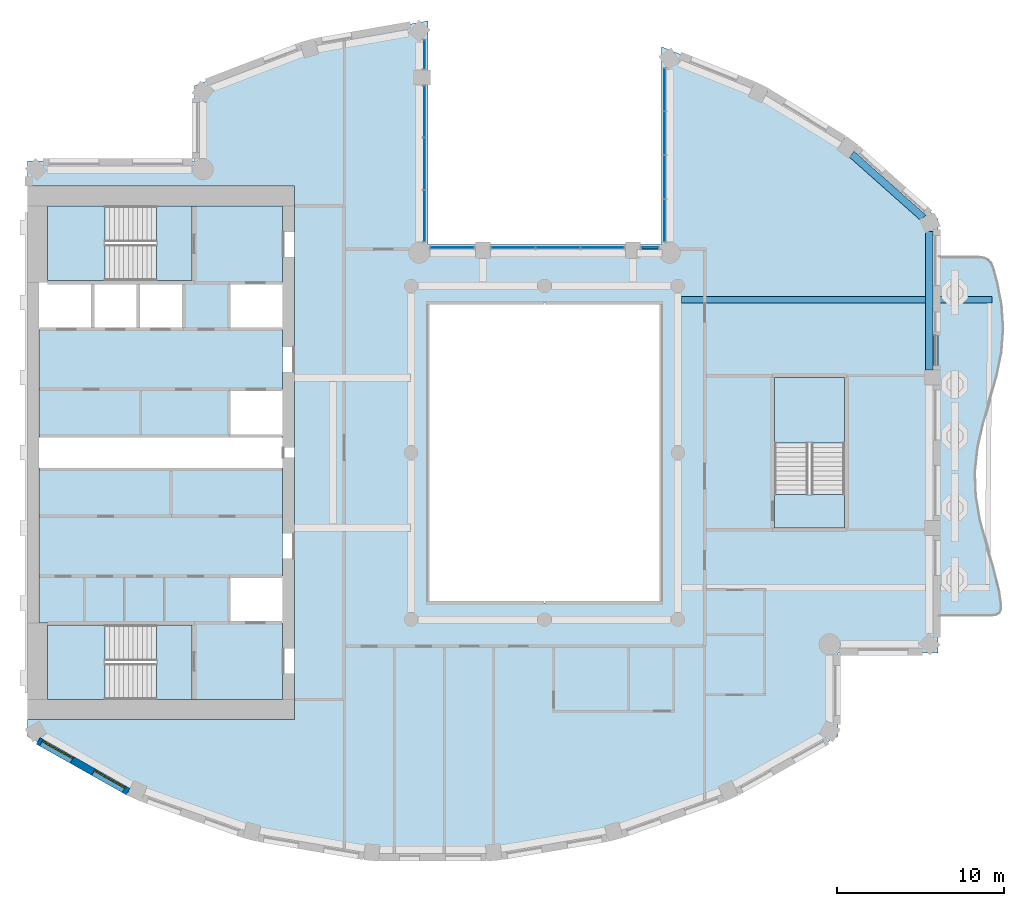
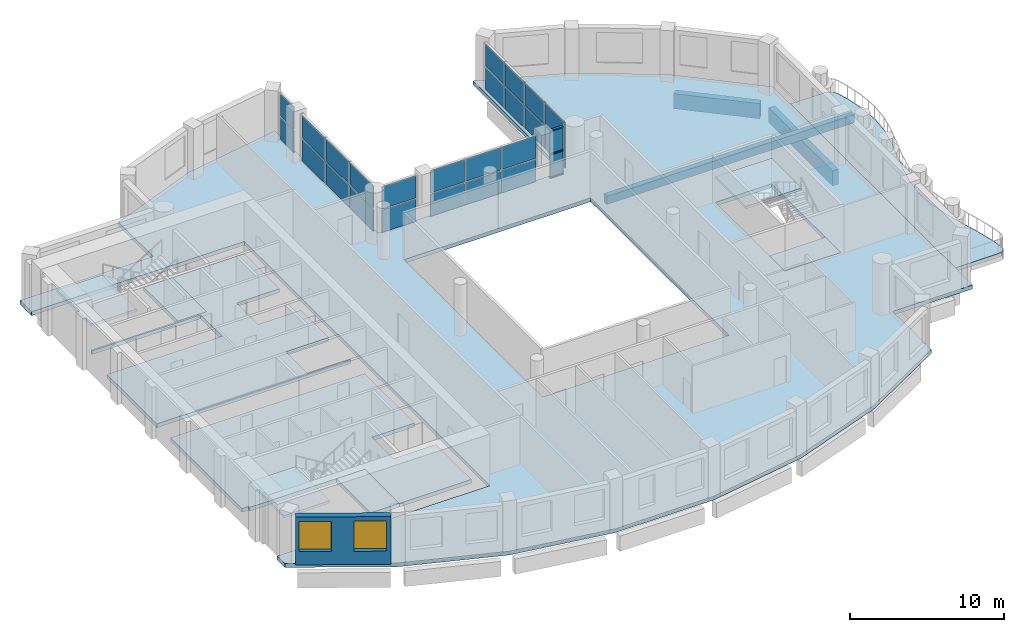
# One storey, part 3 of 14: 26 plates, 10 slabs, 3 beams, 3 members, 2 windows, 1 wall, 2 openings, 9 elements without a shape of their own.
"""IFC4 building model written with IfcOpenShell, lengths in metres."""

import ifcopenshell
import ifcopenshell.guid

model = None  # the IFC model being written
_history = None  # IfcOwnerHistory: only IFC2X3 demands one
_inside = {}  # id of a spatial element -> (the spatial element, [elements in it])
_under = {}  # id of a project, library or spatial element -> (it, [spatial elements below it])
_declared = {}  # id of a project -> (the project, [libraries it declares])
_typed = {}  # id of a type object -> (the type object, [elements of that type])
_made_of = {}  # id of a material, layer set ... -> (it, [elements and type objects made of it])


def new_model(schema):
    """Start an empty IFC model of exactly this schema.

    Asked for "IFC4X3", IfcOpenShell would pick the latest addendum, in which some entities
    have other attributes; the version numbers below select the first issue.
    IFC2X3 requires an IfcOwnerHistory on every rooted entity: one is made here for all.
    """
    global model, _history
    if schema == "IFC4X3":
        model = ifcopenshell.file(schema_version=(4, 3, 0, 0))
    else:
        model = ifcopenshell.file(schema=schema)
    _inside.clear()
    _under.clear()
    _declared.clear()
    _typed.clear()
    _made_of.clear()
    _history = None
    if model.schema == "IFC2X3":
        org = make("IfcOrganization", Name="unknown")
        user = make(
            "IfcPersonAndOrganization",
            ThePerson=make("IfcPerson", FamilyName="unknown"),
            TheOrganization=org,
        )
        app = make(
            "IfcApplication",
            ApplicationDeveloper=org,
            Version="unknown",
            ApplicationFullName="unknown",
            ApplicationIdentifier="unknown",
        )
        _history = make(
            "IfcOwnerHistory",
            OwningUser=user,
            OwningApplication=app,
            ChangeAction="ADDED",
            CreationDate=0,
        )
    return model


def make(cls, **values):
    """One entity of the class cls with the attributes given. An attribute that is None is left unset."""
    return model.create_entity(
        cls, **{name: value for name, value in values.items() if value is not None}
    )


def rooted(cls, **values):
    """An entity with a GlobalId (a new one), such as an element, a storey or a relation."""
    return make(cls, GlobalId=ifcopenshell.guid.new(), OwnerHistory=_history, **values)


def si_unit(unit_type, name, prefix=None):
    """IfcSIUnit, for example si_unit("LENGTHUNIT", "METRE", prefix="MILLI")."""
    return make("IfcSIUnit", UnitType=unit_type, Prefix=prefix, Name=name)


def assignment(units):
    """IfcUnitAssignment: the units of a project."""
    return None if units is None else make("IfcUnitAssignment", Units=units)


def point(xyz):
    """IfcCartesianPoint."""
    return None if xyz is None else make("IfcCartesianPoint", Coordinates=xyz)


def direction(xyz):
    """IfcDirection."""
    return None if xyz is None else make("IfcDirection", DirectionRatios=xyz)


def frame(location, z_axis=None, x_axis=None):
    """IfcAxis2Placement3D, a coordinate frame: its origin and axes. An axis left out is left unset."""
    return make(
        "IfcAxis2Placement3D",
        Location=point(location),
        Axis=direction(z_axis),
        RefDirection=direction(x_axis),
    )


def frame_2d(location, x_axis=None):
    """IfcAxis2Placement2D, a coordinate frame in the plane: its origin and x axis."""
    return make(
        "IfcAxis2Placement2D", Location=point(location), RefDirection=direction(x_axis)
    )


def origin():
    """The frame at (0, 0, 0) with its axes left unset."""
    return frame((0.0, 0.0, 0.0))


def origin_2d():
    """The frame at (0, 0) in the plane with its x axis left unset."""
    return frame_2d((0.0, 0.0))


def place(relative_to, where):
    """IfcLocalPlacement: puts the frame where relative to a parent placement (None: the world)."""
    return make(
        "IfcLocalPlacement", PlacementRelTo=relative_to, RelativePlacement=where
    )


def context(
    kind, dimensions, precision=None, world=None, true_north=None, identifier=None
):
    """IfcGeometricRepresentationContext, for example the 3D "Model" context."""
    return make(
        "IfcGeometricRepresentationContext",
        ContextIdentifier=identifier,
        ContextType=kind,
        CoordinateSpaceDimension=dimensions,
        Precision=precision,
        WorldCoordinateSystem=world,
        TrueNorth=true_north,
    )


def subcontext(parent, identifier, kind, view, scale=None):
    """IfcGeometricRepresentationSubContext, for example "Body" below "Model"."""
    return make(
        "IfcGeometricRepresentationSubContext",
        ContextIdentifier=identifier,
        ContextType=kind,
        ParentContext=parent,
        TargetScale=scale,
        TargetView=view,
    )


def project(units=None, contexts=None):
    """IfcProject with its units and contexts."""
    return rooted(
        "IfcProject",
        Name="project",
        RepresentationContexts=contexts,
        UnitsInContext=assignment(units),
    )


def spatial(cls, under=None, at=None, **own):
    """A site, building, storey or space (cls), placed at a placement, below another one or the project."""
    s = rooted(cls, ObjectPlacement=at, **own)
    if under is not None:
        _under.setdefault(under.id(), (under, []))[1].append(s)
    return s


def polyline(points):
    """IfcPolyline through the points."""
    return make("IfcPolyline", Points=[point(p) for p in points])


def profile(cls, at=None, kind="AREA", **sizes):
    """A parametric profile (cls). Its sizes go by their IFC names, for example OverallWidth=200.0."""
    return make(cls, ProfileType=kind, Position=at, **sizes)


def rectangle(**sizes):
    """IfcRectangleProfileDef."""
    return profile("IfcRectangleProfileDef", **sizes)


def outline(outer, holes=None, kind="AREA"):
    """IfcArbitraryClosedProfileDef: a profile drawn as a closed curve; with holes, ...WithVoids."""
    if holes is None:
        return make("IfcArbitraryClosedProfileDef", ProfileType=kind, OuterCurve=outer)
    return make(
        "IfcArbitraryProfileDefWithVoids",
        ProfileType=kind,
        OuterCurve=outer,
        InnerCurves=holes,
    )


def extrude(swept, where, along, depth):
    """IfcExtrudedAreaSolid: the profile swept, set in the frame where, extruded along a direction by depth."""
    return make(
        "IfcExtrudedAreaSolid",
        SweptArea=swept,
        Position=where,
        ExtrudedDirection=direction(along),
        Depth=depth,
    )


def shape(context_of_items, identifier, shape_type, items):
    """IfcShapeRepresentation: the items that make up one representation, for example the "Body"."""
    return make(
        "IfcShapeRepresentation",
        ContextOfItems=context_of_items,
        RepresentationIdentifier=identifier,
        RepresentationType=shape_type,
        Items=items,
    )


def material(Name=None, Category=None):
    """IfcMaterial."""
    return make("IfcMaterial", Name=Name, Category=Category)


def layer(
    of_material, thickness, ventilated=None, Name=None, Category=None, Priority=None
):
    """IfcMaterialLayer: one layer of a wall or slab, of a material (None: an air gap)."""
    return make(
        "IfcMaterialLayer",
        Material=of_material,
        LayerThickness=thickness,
        IsVentilated=ventilated,
        Name=Name,
        Category=Category,
        Priority=Priority,
    )


def layer_set(layers, Name=None):
    """IfcMaterialLayerSet."""
    return make("IfcMaterialLayerSet", MaterialLayers=layers, LayerSetName=Name)


def material_profile(
    of_material, cross_section, Name=None, Category=None, Priority=None
):
    """IfcMaterialProfile: a cross section and its material."""
    return make(
        "IfcMaterialProfile",
        Name=Name,
        Material=of_material,
        Profile=cross_section,
        Priority=Priority,
        Category=Category,
    )


def profile_set(profiles, Name=None, composite=None):
    """IfcMaterialProfileSet."""
    return make(
        "IfcMaterialProfileSet",
        Name=Name,
        MaterialProfiles=profiles,
        CompositeProfile=composite,
    )


def made_of(thing, what):
    """Note that an element or type object is made of a material, layer set ...; save() writes the relation."""
    if what is not None:
        _made_of.setdefault(what.id(), (what, []))[1].append(thing)
    return thing


def type_object(cls, material=None, **own):
    """A type object (cls), such as IfcWallType, which elements share."""
    return made_of(rooted(cls, **own), material)


def element(
    cls,
    number,
    at=None,
    inside=None,
    cuts=None,
    type_object=None,
    material=None,
    context=None,
    identifier="Body",
    shape_type=None,
    held_by="IfcProductDefinitionShape",
    body=None,
    shapes=None,
    **own,
):
    """One element of the class cls, such as IfcWall. Its Tag is "e" and its number.

    at: its placement. inside: the storey or other place that contains it. cuts: it is an
    opening in that element (IfcRelVoidsElement). A single representation is given by context,
    identifier, shape_type and body (its items); several are given by shapes. held_by: the class
    of the entity that holds the representations. save() writes the other relations.
    """
    e = rooted(cls, Tag="e%d" % number, ObjectPlacement=at, **own)
    if body is not None:
        shapes = [shape(context, identifier, shape_type, body)]
    if shapes is not None:
        e.Representation = make(held_by, Representations=shapes)
    if inside is not None:
        _inside.setdefault(inside.id(), (inside, []))[1].append(e)
    if cuts is not None:
        rooted(
            "IfcRelVoidsElement", RelatingBuildingElement=cuts, RelatedOpeningElement=e
        )
    if type_object is not None:
        _typed.setdefault(type_object.id(), (type_object, []))[1].append(e)
    return made_of(e, material)


def fill(opening, filler):
    """IfcRelFillsElement: the door or window that sits in an opening."""
    return rooted(
        "IfcRelFillsElement",
        RelatingOpeningElement=opening,
        RelatedBuildingElement=filler,
    )


def aggregate(whole, parts):
    """IfcRelAggregates: a whole, such as a stair, and the parts it consists of."""
    return rooted("IfcRelAggregates", RelatingObject=whole, RelatedObjects=parts)


def save(model, path):
    """Write the relations noted so far, then the file.

    IfcRelAggregates (storeys below a building ...), IfcRelContainedInSpatialStructure (elements
    in a storey), IfcRelDefinesByType, IfcRelAssociatesMaterial and IfcRelDeclares: one each for
    every whole, place, type object, material and project.
    """
    for whole, parts in _under.values():
        aggregate(whole, parts)
    for where, things in _inside.values():
        rooted(
            "IfcRelContainedInSpatialStructure",
            RelatedElements=things,
            RelatingStructure=where,
        )
    for kind, things in _typed.values():
        rooted("IfcRelDefinesByType", RelatedObjects=things, RelatingType=kind)
    for what, things in _made_of.values():
        rooted("IfcRelAssociatesMaterial", RelatedObjects=things, RelatingMaterial=what)
    for by, libraries in _declared.values():
        rooted("IfcRelDeclares", RelatingContext=by, RelatedDefinitions=libraries)
    model.write(path)


model = new_model("IFC4")

# Units and contexts
model_context = context("Model", 3, precision=1e-05, world=origin(), true_north=direction((0.0, 1.0)))
body_context = subcontext(model_context, "Body", "Model", "MODEL_VIEW")
ifc_project = project(units=[si_unit("LENGTHUNIT", "METRE"), si_unit("AREAUNIT", "SQUARE_METRE"), si_unit("VOLUMEUNIT", "CUBIC_METRE"), si_unit("PLANEANGLEUNIT", "RADIAN"), si_unit("MASSUNIT", "GRAM", prefix="KILO")], contexts=[model_context])

# Site, building, storey
site_placement = place(None, origin())
site = spatial("IfcSite", under=ifc_project, at=site_placement, CompositionType="ELEMENT")
building_placement = place(site_placement, origin())
building = spatial("IfcBuilding", under=site, at=building_placement, Name="Cypress Arch Tower", CompositionType="ELEMENT")
storey_placement = place(building_placement, frame((0.0, 0.0, 247.5)))
storey = spatial("IfcBuildingStorey", under=building, at=storey_placement, Name="L55", CompositionType="ELEMENT", Elevation=247.5)

# Beams
ifc_material_1 = material(Name="Concrete C50/60", Category="concrete")
ifc_material_profile_1 = material_profile(ifc_material_1, rectangle(XDim=0.39990234375, YDim=0.64990234375, at=origin_2d()), Name="RC 400x650")
ifc_profile_set_1 = profile_set([ifc_material_profile_1], Name="Concrete C50/60")
beam_type_1 = type_object("IfcBeamType", Name="Cantilever beam RC 400x650 Concrete C50/60", PredefinedType="BEAM", material=ifc_profile_set_1)
beam_1_placement = place(storey_placement, frame((9.22509765625, 9.1826171875, -0.625), z_axis=(1.0, 0.0, 0.0), x_axis=(0.0, 1.0, 0.0)))
element("IfcBeam", 1, at=beam_1_placement, inside=storey, type_object=beam_type_1, Name="Cantilever beam L55 C17 2", PredefinedType="BEAM", context=body_context, shape_type="SweptSolid", body=[
    extrude(rectangle(XDim=0.39990234375, YDim=0.64990234375, at=origin_2d()), origin(), (0.0, 0.0, 1.0), 18.618896484375),
])
ifc_material_2 = material(Name="Concrete C50/60", Category="concrete")
ifc_material_profile_2 = material_profile(ifc_material_2, rectangle(XDim=0.449951171875, YDim=1.199951171875, at=origin_2d()), Name="RC 450x1200")
ifc_profile_set_2 = profile_set([ifc_material_profile_2], Name="Concrete C50/60")
beam_type_2 = type_object("IfcBeamType", Name="Spandrel beam RC 450x1200 Concrete C50/60", PredefinedType="SPANDREL", material=ifc_profile_set_2)
beam_2_placement = place(storey_placement, frame((24.074951171875, 4.949951171875, -1.550048828125), z_axis=(0.0, 1.0, 0.0), x_axis=(-1.0, 0.0, 0.0)))
element("IfcBeam", 2, at=beam_2_placement, inside=storey, type_object=beam_type_2, Name="Spandrel beam L55 BC17-2", PredefinedType="SPANDREL", context=body_context, shape_type="SweptSolid", body=[
    extrude(rectangle(XDim=0.449951171875, YDim=1.199951171875, at=origin_2d()), origin(), (0.0, 0.0, 1.0), 8.32080078125),
])
beam_3_placement = place(storey_placement, frame((23.706298828125, 14.091796875, -1.550048828125), z_axis=(-0.747555073917, 0.664199827959, 0.0), x_axis=(-0.664199827959, -0.747555073917, 0.0)))
element("IfcBeam", 3, at=beam_3_placement, inside=storey, type_object=beam_type_2, Name="Spandrel beam L55 BC18-0", PredefinedType="SPANDREL", context=body_context, shape_type="SweptSolid", body=[
    extrude(rectangle(XDim=0.449951171875, YDim=1.199951171875, at=origin_2d()), origin(), (0.0, 0.0, 1.0), 5.72900390625),
])

# Curtain wall, members
ifc_material_3 = material(Name="Anodised aluminium, bronze finish, clear laminated double glazing", Category="aluminium")
curtain_wall_type = type_object("IfcCurtainWallType", Name="Curtain wall CW7 slot glazing", PredefinedType="NOTDEFINED", material=ifc_material_3)
curtain_wall_1_placement = place(storey_placement, origin())
curtain_wall_1 = element("IfcCurtainWall", 4, at=curtain_wall_1_placement, inside=storey, type_object=curtain_wall_type, Name="Curtain wall L55 slot C01.0", PredefinedType="NOTDEFINED")
ifc_material_4 = material(Name="Anodised aluminium, bronze finish", Category="aluminium")
ifc_material_profile_3 = material_profile(ifc_material_4, rectangle(XDim=0.179931640625, YDim=0.0849609375, at=origin_2d()), Name="Transom 85x180")
ifc_profile_set_3 = profile_set([ifc_material_profile_3], Name="Anodised aluminium, bronze finish")
member_type = type_object("IfcMemberType", Name="Transom CW7 85x180", PredefinedType="USERDEFINED", material=ifc_profile_set_3)
member_1_placement = place(storey_placement, frame((7.8134765625, 12.300048828125, 0.04248046875), z_axis=(-1.0, 0.0, 0.0), x_axis=(0.0, -1.0, 0.0)))
member_1 = element("IfcMember", 5, at=member_1_placement, type_object=member_type, Name="CW7 transom 1.1", ObjectType="TRANSOM", PredefinedType="USERDEFINED", context=body_context, shape_type="SweptSolid", body=[
    extrude(rectangle(XDim=0.179931640625, YDim=0.0849609375, at=origin_2d()), origin(), (0.0, 0.0, 1.0), 0.978515625),
])
member_2_placement = place(storey_placement, frame((7.8134765625, 12.300048828125, 1.89990234375), z_axis=(-1.0, 0.0, 0.0), x_axis=(0.0, -1.0, 0.0)))
member_2 = element("IfcMember", 6, at=member_2_placement, type_object=member_type, Name="CW7 transom 1.2", ObjectType="TRANSOM", PredefinedType="USERDEFINED", context=body_context, shape_type="SweptSolid", body=[
    extrude(rectangle(XDim=0.179931640625, YDim=0.0849609375, at=origin_2d()), origin(), (0.0, 0.0, 1.0), 0.978515625),
])
member_3_placement = place(storey_placement, frame((7.8134765625, 12.300048828125, 3.757568359375), z_axis=(-1.0, 0.0, 0.0), x_axis=(0.0, -1.0, 0.0)))
member_3 = element("IfcMember", 7, at=member_3_placement, type_object=member_type, Name="CW7 transom 1.3", ObjectType="TRANSOM", PredefinedType="USERDEFINED", context=body_context, shape_type="SweptSolid", body=[
    extrude(rectangle(XDim=0.179931640625, YDim=0.0849609375, at=origin_2d()), origin(), (0.0, 0.0, 1.0), 0.978515625),
])

# Slabs
ifc_material_5 = material(Name="Concrete C40/50", Category="concrete")
ifc_layer_1 = layer(ifc_material_5, 0.300048828125)
ifc_layer_set_1 = layer_set([ifc_layer_1], Name="Balcony slab BS300")
slab_type_1 = type_object("IfcSlabType", Name="Balcony slab BS300", PredefinedType="USERDEFINED", material=ifc_layer_set_1)
slab_1_placement = place(storey_placement, frame((0.0, 0.0, -0.300048828125)))
element("IfcSlab", 8, at=slab_1_placement, inside=storey, type_object=slab_type_1, Name="Balcony slab L55-C17", ObjectType="BALCONY SLAB", PredefinedType="USERDEFINED", context=body_context, shape_type="SweptSolid", body=[
    extrude(outline(polyline([(24.60009765625, -9.75), (27.8193359375, -9.75), (28.0986328125, -9.709716796875), (28.284912109375, -9.5888671875), (28.378173828125, -9.38720703125), (28.378173828125, -9.10498046875), (28.264892578125, -8.316650390625), (27.907958984375, -6.88330078125), (27.48779296875, -5.449951171875), (27.107421875, -4.0166015625), (26.860107421875, -2.583251953125), (26.806396484375, -1.14990234375), (26.95947265625, 0.283447265625), (27.28173828125, 1.716552734375), (27.694580078125, 3.14990234375), (28.09619140625, 4.583251953125), (28.388671875, 6.0166015625), (28.499755859375, 7.449951171875), (28.40283203125, 8.88330078125), (28.12109375, 10.316650390625), (27.90283203125, 11.10498046875), (27.78271484375, 11.38720703125), (27.601318359375, 11.5888671875), (27.35888671875, 11.709716796875), (27.0546875, 11.75), (24.60009765625, 11.75), (24.60009765625, -9.75)])), origin(), (0.0, 0.0, 1.0), 0.300048828125),
])
ifc_material_6 = material(Name="Concrete C40/50", Category="concrete")
ifc_layer_2 = layer(ifc_material_6, 0.300048828125)
ifc_layer_set_2 = layer_set([ifc_layer_2], Name="Core floor CF300")
slab_type_2 = type_object("IfcSlabType", Name="Core floor CF300", PredefinedType="FLOOR", material=ifc_layer_set_2)
slab_2_placement = place(storey_placement, frame((0.0, 0.0, -0.300048828125)))
element("IfcSlab", 9, at=slab_2_placement, inside=storey, type_object=slab_type_2, Name="Core floor", PredefinedType="FLOOR", context=body_context, shape_type="SweptSolid", body=[
    extrude(outline(polyline([(-28.89990234375, -10.199951171875), (-29.300048828125, -10.199951171875), (-29.300048828125, -0.89990234375), (-28.89990234375, -0.89990234375), (-15.10009765625, -0.89990234375), (-14.699951171875, -0.89990234375), (-14.699951171875, -7.39990234375), (-15.10009765625, -7.39990234375), (-17.919921875, -7.39990234375), (-17.919921875, -10.199951171875), (-15.10009765625, -10.199951171875), (-14.699951171875, -10.199951171875), (-14.699951171875, -14.800048828125), (-15.10009765625, -14.800048828125), (-20.125, -14.800048828125), (-20.125, -10.324951171875), (-22.27490234375, -10.324951171875), (-28.800048828125, -10.324951171875), (-28.800048828125, -10.199951171875), (-28.89990234375, -10.199951171875)])), origin(), (0.0, 0.0, 1.0), 0.300048828125),
])
slab_3_placement = place(storey_placement, frame((0.0, 0.0, -0.300048828125)))
element("IfcSlab", 10, at=slab_3_placement, inside=storey, type_object=slab_type_2, Name="Core floor", PredefinedType="FLOOR", context=body_context, shape_type="SweptSolid", body=[
    extrude(outline(polyline([(-22.27490234375, -10.324951171875), (-22.27490234375, -14.800048828125), (-20.125, -14.800048828125), (-20.125, -10.324951171875), (-22.27490234375, -10.324951171875)])), origin(), (0.0, 0.0, 1.0), 0.300048828125),
])
slab_4_placement = place(storey_placement, frame((0.0, 0.0, -0.300048828125)))
element("IfcSlab", 11, at=slab_4_placement, inside=storey, type_object=slab_type_2, Name="Core floor", PredefinedType="FLOOR", context=body_context, shape_type="SweptSolid", body=[
    extrude(outline(polyline([(-20.125, 14.800048828125), (-22.27490234375, 14.800048828125), (-22.27490234375, 10.324951171875), (-20.125, 10.324951171875), (-20.125, 14.800048828125)])), origin(), (0.0, 0.0, 1.0), 0.300048828125),
])
slab_5_placement = place(storey_placement, frame((0.0, 0.0, -0.300048828125)))
element("IfcSlab", 12, at=slab_5_placement, inside=storey, type_object=slab_type_2, Name="Stair floor landing", PredefinedType="FLOOR", context=body_context, shape_type="SweptSolid", body=[
    extrude(outline(polyline([(19.0, -4.5), (19.0, -2.5), (14.800048828125, -2.5), (14.800048828125, -4.5), (19.0, -4.5)])), origin(), (0.0, 0.0, 1.0), 0.300048828125),
])
slab_6_placement = place(storey_placement, frame((0.0, 0.0, -0.300048828125)))
element("IfcSlab", 13, at=slab_6_placement, inside=storey, type_object=slab_type_2, Name="Core floor", PredefinedType="FLOOR", context=body_context, shape_type="SweptSolid", body=[
    extrude(outline(polyline([(-20.639892578125, 10.199951171875), (-23.360107421875, 10.199951171875), (-26.080078125, 10.199951171875), (-28.800048828125, 10.199951171875), (-28.800048828125, 10.324951171875), (-22.27490234375, 10.324951171875), (-20.125, 10.324951171875), (-20.125, 14.800048828125), (-15.10009765625, 14.800048828125), (-14.699951171875, 14.800048828125), (-14.699951171875, 10.199951171875), (-15.10009765625, 10.199951171875), (-17.919921875, 10.199951171875), (-17.919921875, 7.39990234375), (-15.10009765625, 7.39990234375), (-14.699951171875, 7.39990234375), (-14.699951171875, 3.800048828125), (-15.10009765625, 3.800048828125), (-17.919921875, 3.800048828125), (-17.919921875, 1.5), (-17.919921875, 1.0), (-17.5, 1.0), (-15.10009765625, 1.0), (-14.699951171875, 1.0), (-14.699951171875, 0.89990234375), (-15.10009765625, 0.89990234375), (-17.5, 0.89990234375), (-18.300048828125, 0.89990234375), (-28.89990234375, 0.89990234375), (-29.300048828125, 0.89990234375), (-29.300048828125, 1.5), (-29.300048828125, 7.39990234375), (-28.89990234375, 7.39990234375), (-26.080078125, 7.39990234375), (-23.360107421875, 7.39990234375), (-20.639892578125, 7.39990234375), (-20.639892578125, 10.199951171875)])), origin(), (0.0, 0.0, 1.0), 0.300048828125),
])

# Curtain wall, plates
curtain_wall_2_placement = place(storey_placement, origin())
curtain_wall_2 = element("IfcCurtainWall", 14, at=curtain_wall_2_placement, inside=storey, type_object=curtain_wall_type, Name="Curtain wall L55 slot C00.0", PredefinedType="NOTDEFINED")
ifc_material_7 = material(Name="Clear laminated double glazing", Category="glass")
ifc_layer_3 = layer(ifc_material_7, 0.0439453125)
ifc_layer_set_3 = layer_set([ifc_layer_3], Name="Glass panel CW7 44")
plate_type = type_object("IfcPlateType", Name="Glass panel CW7 44", PredefinedType="CURTAIN_PANEL", material=ifc_layer_set_3)
plate_1_placement = place(storey_placement, frame((8.199951171875, 21.768798828125, 0.0849609375), z_axis=(0.0, 0.0, 1.0), x_axis=(0.0, -1.0, 0.0)))
plate_1 = element("IfcPlate", 15, at=plate_1_placement, type_object=plate_type, Name="CW7 panel 1.1", PredefinedType="CURTAIN_PANEL", context=body_context, shape_type="SweptSolid", body=[
    extrude(rectangle(XDim=2.497802734375, YDim=0.0439453125, at=origin_2d()), origin(), (0.0, 0.0, 1.0), 1.7724609375),
])
plate_2_placement = place(storey_placement, frame((8.199951171875, 21.768798828125, 1.942626953125), z_axis=(0.0, 0.0, 1.0), x_axis=(0.0, -1.0, 0.0)))
plate_2 = element("IfcPlate", 16, at=plate_2_placement, type_object=plate_type, Name="CW7 panel 1.2", PredefinedType="CURTAIN_PANEL", context=body_context, shape_type="SweptSolid", body=[
    extrude(rectangle(XDim=2.497802734375, YDim=0.0439453125, at=origin_2d()), origin(), (0.0, 0.0, 1.0), 1.7724609375),
])
plate_3_placement = place(storey_placement, frame((8.199951171875, 19.164794921875, 0.0849609375), z_axis=(0.0, 0.0, 1.0), x_axis=(0.0, -1.0, 0.0)))
plate_3 = element("IfcPlate", 17, at=plate_3_placement, type_object=plate_type, Name="CW7 panel 2.1", PredefinedType="CURTAIN_PANEL", context=body_context, shape_type="SweptSolid", body=[
    extrude(rectangle(XDim=2.540283203125, YDim=0.0439453125, at=origin_2d()), origin(), (0.0, 0.0, 1.0), 1.7724609375),
])
plate_4_placement = place(storey_placement, frame((8.199951171875, 19.164794921875, 1.942626953125), z_axis=(0.0, 0.0, 1.0), x_axis=(0.0, -1.0, 0.0)))
plate_4 = element("IfcPlate", 18, at=plate_4_placement, type_object=plate_type, Name="CW7 panel 2.2", PredefinedType="CURTAIN_PANEL", context=body_context, shape_type="SweptSolid", body=[
    extrude(rectangle(XDim=2.540283203125, YDim=0.0439453125, at=origin_2d()), origin(), (0.0, 0.0, 1.0), 1.7724609375),
])
plate_5_placement = place(storey_placement, frame((8.199951171875, 16.53955078125, 0.0849609375), z_axis=(0.0, 0.0, 1.0), x_axis=(0.0, -1.0, 0.0)))
plate_5 = element("IfcPlate", 19, at=plate_5_placement, type_object=plate_type, Name="CW7 panel 3.1", PredefinedType="CURTAIN_PANEL", context=body_context, shape_type="SweptSolid", body=[
    extrude(rectangle(XDim=2.540283203125, YDim=0.0439453125, at=origin_2d()), origin(), (0.0, 0.0, 1.0), 1.7724609375),
])
plate_6_placement = place(storey_placement, frame((8.199951171875, 16.53955078125, 1.942626953125), z_axis=(0.0, 0.0, 1.0), x_axis=(0.0, -1.0, 0.0)))
plate_6 = element("IfcPlate", 20, at=plate_6_placement, type_object=plate_type, Name="CW7 panel 3.2", PredefinedType="CURTAIN_PANEL", context=body_context, shape_type="SweptSolid", body=[
    extrude(rectangle(XDim=2.540283203125, YDim=0.0439453125, at=origin_2d()), origin(), (0.0, 0.0, 1.0), 1.7724609375),
])
plate_7_placement = place(storey_placement, frame((8.199951171875, 13.935302734375, 0.0849609375), z_axis=(0.0, 0.0, 1.0), x_axis=(0.0, -1.0, 0.0)))
plate_7 = element("IfcPlate", 21, at=plate_7_placement, type_object=plate_type, Name="CW7 panel 4.1", PredefinedType="CURTAIN_PANEL", context=body_context, shape_type="SweptSolid", body=[
    extrude(rectangle(XDim=2.497802734375, YDim=0.0439453125, at=origin_2d()), origin(), (0.0, 0.0, 1.0), 1.7724609375),
])
plate_8_placement = place(storey_placement, frame((8.199951171875, 13.935302734375, 1.942626953125), z_axis=(0.0, 0.0, 1.0), x_axis=(0.0, -1.0, 0.0)))
plate_8 = element("IfcPlate", 22, at=plate_8_placement, type_object=plate_type, Name="CW7 panel 4.2", PredefinedType="CURTAIN_PANEL", context=body_context, shape_type="SweptSolid", body=[
    extrude(rectangle(XDim=2.497802734375, YDim=0.0439453125, at=origin_2d()), origin(), (0.0, 0.0, 1.0), 1.7724609375),
])
aggregate(curtain_wall_2, [plate_1, plate_2, plate_3, plate_4, plate_5, plate_6, plate_7, plate_8])

# Plate
plate_9_placement = place(storey_placement, frame((7.32421875, 12.300048828125, 0.0849609375), z_axis=(0.0, 0.0, 1.0), x_axis=(-1.0, 0.0, 0.0)))
plate_9 = element("IfcPlate", 23, at=plate_9_placement, type_object=plate_type, Name="CW7 panel 1.1", PredefinedType="CURTAIN_PANEL", context=body_context, shape_type="SweptSolid", body=[
    extrude(rectangle(XDim=0.978515625, YDim=0.0439453125, at=origin_2d()), origin(), (0.0, 0.0, 1.0), 1.7724609375),
])

plate_10_placement = place(storey_placement, frame((7.32421875, 12.300048828125, 1.942626953125), z_axis=(0.0, 0.0, 1.0), x_axis=(-1.0, 0.0, 0.0)))
plate_10 = element("IfcPlate", 24, at=plate_10_placement, type_object=plate_type, Name="CW7 panel 1.2", PredefinedType="CURTAIN_PANEL", context=body_context, shape_type="SweptSolid", body=[
    extrude(rectangle(XDim=0.978515625, YDim=0.0439453125, at=origin_2d()), origin(), (0.0, 0.0, 1.0), 1.7724609375),
])

aggregate(curtain_wall_1, [member_1, member_2, member_3, plate_9, plate_10])

# Curtain wall, plates
curtain_wall_3_placement = place(storey_placement, origin())
curtain_wall_3 = element("IfcCurtainWall", 25, at=curtain_wall_3_placement, inside=storey, type_object=curtain_wall_type, Name="Curtain wall L55 slot C01.1", PredefinedType="NOTDEFINED")
plate_11_placement = place(storey_placement, frame((4.478759765625, 12.300048828125, 0.0849609375), z_axis=(0.0, 0.0, 1.0), x_axis=(-1.0, 0.0, 0.0)))
plate_11 = element("IfcPlate", 26, at=plate_11_placement, type_object=plate_type, Name="CW7 panel 1.1", PredefinedType="CURTAIN_PANEL", context=body_context, shape_type="SweptSolid", body=[
    extrude(rectangle(XDim=2.572509765625, YDim=0.0439453125, at=origin_2d()), origin(), (0.0, 0.0, 1.0), 1.7724609375),
])
plate_12_placement = place(storey_placement, frame((4.478759765625, 12.300048828125, 1.942626953125), z_axis=(0.0, 0.0, 1.0), x_axis=(-1.0, 0.0, 0.0)))
plate_12 = element("IfcPlate", 27, at=plate_12_placement, type_object=plate_type, Name="CW7 panel 1.2", PredefinedType="CURTAIN_PANEL", context=body_context, shape_type="SweptSolid", body=[
    extrude(rectangle(XDim=2.572509765625, YDim=0.0439453125, at=origin_2d()), origin(), (0.0, 0.0, 1.0), 1.7724609375),
])
plate_13_placement = place(storey_placement, frame((1.800048828125, 12.300048828125, 0.0849609375), z_axis=(0.0, 0.0, 1.0), x_axis=(-1.0, 0.0, 0.0)))
plate_13 = element("IfcPlate", 28, at=plate_13_placement, type_object=plate_type, Name="CW7 panel 2.1", PredefinedType="CURTAIN_PANEL", context=body_context, shape_type="SweptSolid", body=[
    extrude(rectangle(XDim=2.614990234375, YDim=0.0439453125, at=origin_2d()), origin(), (0.0, 0.0, 1.0), 1.7724609375),
])
plate_14_placement = place(storey_placement, frame((1.800048828125, 12.300048828125, 1.942626953125), z_axis=(0.0, 0.0, 1.0), x_axis=(-1.0, 0.0, 0.0)))
plate_14 = element("IfcPlate", 29, at=plate_14_placement, type_object=plate_type, Name="CW7 panel 2.2", PredefinedType="CURTAIN_PANEL", context=body_context, shape_type="SweptSolid", body=[
    extrude(rectangle(XDim=2.614990234375, YDim=0.0439453125, at=origin_2d()), origin(), (0.0, 0.0, 1.0), 1.7724609375),
])
plate_15_placement = place(storey_placement, frame((-0.878662109375, 12.300048828125, 0.0849609375), z_axis=(0.0, 0.0, 1.0), x_axis=(-1.0, 0.0, 0.0)))
plate_15 = element("IfcPlate", 30, at=plate_15_placement, type_object=plate_type, Name="CW7 panel 3.1", PredefinedType="CURTAIN_PANEL", context=body_context, shape_type="SweptSolid", body=[
    extrude(rectangle(XDim=2.572509765625, YDim=0.0439453125, at=origin_2d()), origin(), (0.0, 0.0, 1.0), 1.7724609375),
])
plate_16_placement = place(storey_placement, frame((-0.878662109375, 12.300048828125, 1.942626953125), z_axis=(0.0, 0.0, 1.0), x_axis=(-1.0, 0.0, 0.0)))
plate_16 = element("IfcPlate", 31, at=plate_16_placement, type_object=plate_type, Name="CW7 panel 3.2", PredefinedType="CURTAIN_PANEL", context=body_context, shape_type="SweptSolid", body=[
    extrude(rectangle(XDim=2.572509765625, YDim=0.0439453125, at=origin_2d()), origin(), (0.0, 0.0, 1.0), 1.7724609375),
])
aggregate(curtain_wall_3, [plate_11, plate_12, plate_13, plate_14, plate_15, plate_16])

curtain_wall_4_placement = place(storey_placement, origin())
curtain_wall_4 = element("IfcCurtainWall", 32, at=curtain_wall_4_placement, inside=storey, type_object=curtain_wall_type, Name="Curtain wall L55 slot C01.2", PredefinedType="NOTDEFINED")
plate_17_placement = place(storey_placement, frame((-4.524169921875, 12.300048828125, 0.0849609375), z_axis=(0.0, 0.0, 1.0), x_axis=(-1.0, 0.0, 0.0)))
plate_17 = element("IfcPlate", 33, at=plate_17_placement, type_object=plate_type, Name="CW7 panel 1.1", PredefinedType="CURTAIN_PANEL", context=body_context, shape_type="SweptSolid", body=[
    extrude(rectangle(XDim=2.57861328125, YDim=0.0439453125, at=origin_2d()), origin(), (0.0, 0.0, 1.0), 1.7724609375),
])
plate_18_placement = place(storey_placement, frame((-4.524169921875, 12.300048828125, 1.942626953125), z_axis=(0.0, 0.0, 1.0), x_axis=(-1.0, 0.0, 0.0)))
plate_18 = element("IfcPlate", 34, at=plate_18_placement, type_object=plate_type, Name="CW7 panel 1.2", PredefinedType="CURTAIN_PANEL", context=body_context, shape_type="SweptSolid", body=[
    extrude(rectangle(XDim=2.57861328125, YDim=0.0439453125, at=origin_2d()), origin(), (0.0, 0.0, 1.0), 1.7724609375),
])
aggregate(curtain_wall_4, [plate_17, plate_18])

curtain_wall_5_placement = place(storey_placement, origin())
curtain_wall_5 = element("IfcCurtainWall", 35, at=curtain_wall_5_placement, inside=storey, type_object=curtain_wall_type, Name="Curtain wall L55 slot C02.0", PredefinedType="NOTDEFINED")
plate_19_placement = place(storey_placement, frame((-6.199951171875, 14.197509765625, 0.0849609375), z_axis=(0.0, 0.0, 1.0), x_axis=(0.0, 1.0, 0.0)))
plate_19 = element("IfcPlate", 36, at=plate_19_placement, type_object=plate_type, Name="CW7 panel 1.1", PredefinedType="CURTAIN_PANEL", context=body_context, shape_type="SweptSolid", body=[
    extrude(rectangle(XDim=3.02197265625, YDim=0.0439453125, at=origin_2d()), origin(), (0.0, 0.0, 1.0), 1.7724609375),
])
plate_20_placement = place(storey_placement, frame((-6.199951171875, 14.197509765625, 1.942626953125), z_axis=(0.0, 0.0, 1.0), x_axis=(0.0, 1.0, 0.0)))
plate_20 = element("IfcPlate", 37, at=plate_20_placement, type_object=plate_type, Name="CW7 panel 1.2", PredefinedType="CURTAIN_PANEL", context=body_context, shape_type="SweptSolid", body=[
    extrude(rectangle(XDim=3.02197265625, YDim=0.0439453125, at=origin_2d()), origin(), (0.0, 0.0, 1.0), 1.7724609375),
])
plate_21_placement = place(storey_placement, frame((-6.199951171875, 17.32568359375, 0.0849609375), z_axis=(0.0, 0.0, 1.0), x_axis=(0.0, 1.0, 0.0)))
plate_21 = element("IfcPlate", 38, at=plate_21_placement, type_object=plate_type, Name="CW7 panel 2.1", PredefinedType="CURTAIN_PANEL", context=body_context, shape_type="SweptSolid", body=[
    extrude(rectangle(XDim=3.064453125, YDim=0.0439453125, at=origin_2d()), origin(), (0.0, 0.0, 1.0), 1.7724609375),
])
plate_22_placement = place(storey_placement, frame((-6.199951171875, 17.32568359375, 1.942626953125), z_axis=(0.0, 0.0, 1.0), x_axis=(0.0, 1.0, 0.0)))
plate_22 = element("IfcPlate", 39, at=plate_22_placement, type_object=plate_type, Name="CW7 panel 2.2", PredefinedType="CURTAIN_PANEL", context=body_context, shape_type="SweptSolid", body=[
    extrude(rectangle(XDim=3.064453125, YDim=0.0439453125, at=origin_2d()), origin(), (0.0, 0.0, 1.0), 1.7724609375),
])
plate_23_placement = place(storey_placement, frame((-6.199951171875, 20.4541015625, 0.0849609375), z_axis=(0.0, 0.0, 1.0), x_axis=(0.0, 1.0, 0.0)))
plate_23 = element("IfcPlate", 40, at=plate_23_placement, type_object=plate_type, Name="CW7 panel 3.1", PredefinedType="CURTAIN_PANEL", context=body_context, shape_type="SweptSolid", body=[
    extrude(rectangle(XDim=3.02197265625, YDim=0.0439453125, at=origin_2d()), origin(), (0.0, 0.0, 1.0), 1.7724609375),
])
plate_24_placement = place(storey_placement, frame((-6.199951171875, 20.4541015625, 1.942626953125), z_axis=(0.0, 0.0, 1.0), x_axis=(0.0, 1.0, 0.0)))
plate_24 = element("IfcPlate", 41, at=plate_24_placement, type_object=plate_type, Name="CW7 panel 3.2", PredefinedType="CURTAIN_PANEL", context=body_context, shape_type="SweptSolid", body=[
    extrude(rectangle(XDim=3.02197265625, YDim=0.0439453125, at=origin_2d()), origin(), (0.0, 0.0, 1.0), 1.7724609375),
])
aggregate(curtain_wall_5, [plate_19, plate_20, plate_21, plate_22, plate_23, plate_24])

curtain_wall_6_placement = place(storey_placement, origin())
curtain_wall_6 = element("IfcCurtainWall", 42, at=curtain_wall_6_placement, inside=storey, type_object=curtain_wall_type, Name="Curtain wall L55 slot C02.1", PredefinedType="NOTDEFINED")
plate_25_placement = place(storey_placement, frame((-6.199951171875, 23.89111328125, 0.0849609375), z_axis=(0.0, 0.0, 1.0), x_axis=(0.0, 1.0, 0.0)))
plate_25 = element("IfcPlate", 43, at=plate_25_placement, type_object=plate_type, Name="CW7 panel 1.1", PredefinedType="CURTAIN_PANEL", context=body_context, shape_type="SweptSolid", body=[
    extrude(rectangle(XDim=1.71240234375, YDim=0.0439453125, at=origin_2d()), origin(), (0.0, 0.0, 1.0), 1.7724609375),
])
plate_26_placement = place(storey_placement, frame((-6.199951171875, 23.89111328125, 1.942626953125), z_axis=(0.0, 0.0, 1.0), x_axis=(0.0, 1.0, 0.0)))
plate_26 = element("IfcPlate", 44, at=plate_26_placement, type_object=plate_type, Name="CW7 panel 1.2", PredefinedType="CURTAIN_PANEL", context=body_context, shape_type="SweptSolid", body=[
    extrude(rectangle(XDim=1.71240234375, YDim=0.0439453125, at=origin_2d()), origin(), (0.0, 0.0, 1.0), 1.7724609375),
])
aggregate(curtain_wall_6, [plate_25, plate_26])

# Slab
ifc_material_8 = material(Name="Concrete C40/50", Category="concrete")
ifc_layer_4 = layer(ifc_material_8, 0.300048828125)
ifc_layer_set_4 = layer_set([ifc_layer_4], Name="PT flat slab 300 Concrete C40/50")
slab_type_3 = type_object("IfcSlabType", Name="PT flat slab 300 Concrete C40/50", PredefinedType="FLOOR", material=ifc_layer_set_4)
slab_7_placement = place(storey_placement, frame((0.0, 0.0, -0.300048828125)))
element("IfcSlab", 45, at=slab_7_placement, inside=storey, type_object=slab_type_3, Name="Floor slab L55", PredefinedType="FLOOR", context=body_context, shape_type="SweptSolid", body=[
    extrude(outline(polyline([(-30.0, 17.5), (-20.0, 17.5), (-20.0, 22.0), (-13.199951171875, 24.6201171875), (-6.0, 25.889892578125), (-6.0, 12.5), (8.0, 12.5), (8.0, 24.35009765625), (14.0, 21.93994140625), (19.39990234375, 18.6201171875), (24.60009765625, 14.0), (24.60009765625, -12.0), (18.60009765625, -12.0), (18.60009765625, -17.0), (12.179931640625, -20.6201171875), (5.239990234375, -23.090087890625), (-2.02001953125, -24.340087890625), (-9.3798828125, -24.340087890625), (-16.639892578125, -23.090087890625), (-23.580078125, -20.6201171875), (-30.0, -17.0), (-30.0, -16.0), (-14.0, -16.0), (-14.0, 16.0), (-30.0, 16.0), (-30.0, 17.5)]), holes=[polyline([(-6.0, -9.0), (8.0, -9.0), (8.0, 9.0), (-6.0, 9.0), (-6.0, -9.0)]), polyline([(14.800048828125, -4.5), (19.0, -4.5), (19.0, 4.5), (14.800048828125, 4.5), (14.800048828125, -4.5)])]), origin(), (0.0, 0.0, 1.0), 0.300048828125),
])

# Stair, slab
ifc_material_9 = material(Name="Concrete C40/50", Category="concrete")
stair_type_1 = type_object("IfcStairType", Name="Exit stair ES1708-215", PredefinedType="HALF_TURN_STAIR", material=ifc_material_9)
stair_1_placement = place(storey_placement, origin())
stair_1 = element("IfcStair", 46, at=stair_1_placement, inside=storey, type_object=stair_type_1, Name="L55 Exit stair A", PredefinedType="HALF_TURN_STAIR")
ifc_material_10 = material(Name="Concrete C40/50", Category="concrete")
ifc_layer_5 = layer(ifc_material_10, 0.199951171875)
ifc_layer_set_5 = layer_set([ifc_layer_5], Name="Stair landing SL200")
slab_type_4 = type_object("IfcSlabType", Name="Stair landing SL200", PredefinedType="LANDING", material=ifc_layer_set_5)
slab_8_placement = place(storey_placement, frame((0.0, 0.0, 1.85009765625)))
slab_8 = element("IfcSlab", 47, at=slab_8_placement, type_object=slab_type_4, Name="A landing 1", PredefinedType="LANDING", context=body_context, shape_type="SweptSolid", body=[
    extrude(outline(polyline([(-25.35498046875, -10.324951171875), (-28.800048828125, -10.324951171875), (-28.800048828125, -14.800048828125), (-25.35498046875, -14.800048828125), (-25.35498046875, -10.324951171875)])), origin(), (0.0, 0.0, 1.0), 0.199951171875),
])
aggregate(stair_1, [slab_8])

stair_2_placement = place(storey_placement, origin())
stair_2 = element("IfcStair", 48, at=stair_2_placement, inside=storey, type_object=stair_type_1, Name="L55 Exit stair B", PredefinedType="HALF_TURN_STAIR")
slab_9_placement = place(storey_placement, frame((0.0, 0.0, 1.85009765625)))
slab_9 = element("IfcSlab", 49, at=slab_9_placement, type_object=slab_type_4, Name="B landing 1", PredefinedType="LANDING", context=body_context, shape_type="SweptSolid", body=[
    extrude(outline(polyline([(-25.35498046875, 14.800048828125), (-28.800048828125, 14.800048828125), (-28.800048828125, 10.324951171875), (-25.35498046875, 10.324951171875), (-25.35498046875, 14.800048828125)])), origin(), (0.0, 0.0, 1.0), 0.199951171875),
])
aggregate(stair_2, [slab_9])

ifc_material_11 = material(Name="Concrete C40/50", Category="concrete")
stair_type_2 = type_object("IfcStairType", Name="Exit stair ES1708-200", PredefinedType="HALF_TURN_STAIR", material=ifc_material_11)
stair_3_placement = place(storey_placement, origin())
stair_3 = element("IfcStair", 50, at=stair_3_placement, inside=storey, type_object=stair_type_2, Name="L55 Exit stair C", PredefinedType="HALF_TURN_STAIR")
slab_10_placement = place(storey_placement, frame((0.0, 0.0, 1.85009765625)))
slab_10 = element("IfcSlab", 51, at=slab_10_placement, type_object=slab_type_4, Name="C landing 1", PredefinedType="LANDING", context=body_context, shape_type="SweptSolid", body=[
    extrude(outline(polyline([(19.0, 0.580078125), (19.0, 4.5), (14.800048828125, 4.5), (14.800048828125, 0.580078125), (19.0, 0.580078125)])), origin(), (0.0, 0.0, 1.0), 0.199951171875),
])
aggregate(stair_3, [slab_10])

# Wall, openings, windows
ifc_material_12 = material(Name="Brick (red buff blend)", Category="masonry")
ifc_layer_6 = layer(ifc_material_12, 0.449951171875)
ifc_layer_set_6 = layer_set([ifc_layer_6], Name="Brick pier and spandrel wall BW450")
wall_type = type_object("IfcWallType", Name="Brick pier and spandrel wall BW450", PredefinedType="SOLIDWALL", material=ifc_layer_set_6)
wall_placement = place(storey_placement, frame((-29.3564453125, -17.276611328125, 0.0), z_axis=(0.0, 0.0, 1.0), x_axis=(0.871065783524, -0.491166367714, 0.0)))
wall = element("IfcWall", 52, at=wall_placement, inside=storey, type_object=wall_type, Name="Brick wall L55 C08.0", PredefinedType="SOLIDWALL", context=body_context, shape_type="SweptSolid", body=[
    extrude(rectangle(XDim=6.1962890625, YDim=0.449951171875, at=frame_2d((3.09814453125, 0.0))), origin(), (0.0, 0.0, 1.0), 3.800048828125),
])
opening_1_placement = place(wall_placement, frame((0.22119140625, 0.0, 1.050048828125)))
opening_1 = element("IfcOpeningElement", 53, at=opening_1_placement, cuts=wall, Name="Opening W210O", PredefinedType="OPENING", context=body_context, shape_type="SweptSolid", body=[
    extrude(rectangle(XDim=2.10009765625, YDim=2.39990234375, at=frame_2d((1.050048828125, 1.199951171875))), frame((0.0, 0.23486328125, 0.0), z_axis=(0.0, -1.0, 0.0), x_axis=(1.0, 0.0, 0.0)), (0.0, 0.0, 1.0), 0.469970703125),
])
opening_2_placement = place(wall_placement, frame((3.8056640625, 0.0, 1.050048828125)))
opening_2 = element("IfcOpeningElement", 54, at=opening_2_placement, cuts=wall, Name="Opening W210O", PredefinedType="OPENING", context=body_context, shape_type="SweptSolid", body=[
    extrude(rectangle(XDim=2.10009765625, YDim=2.39990234375, at=frame_2d((1.050048828125, 1.199951171875))), frame((0.0, 0.23486328125, 0.0), z_axis=(0.0, -1.0, 0.0), x_axis=(1.0, 0.0, 0.0)), (0.0, 0.0, 1.0), 0.469970703125),
])
ifc_material_13 = material(Name="Anodised aluminium, bronze finish, clear low-emissivity double glazing", Category="aluminium")
window_type = type_object("IfcWindowType", Name="Window Office 2100x2400", PartitioningType="SINGLE_PANEL", PredefinedType="WINDOW", material=ifc_material_13)
window_1_placement = place(opening_1_placement, origin())
window_1 = element("IfcWindow", 55, at=window_1_placement, inside=storey, type_object=window_type, Name="Window L55 C08.0.1", OverallHeight=2.39990234375, OverallWidth=2.10009765625, PartitioningType="SINGLE_PANEL", PredefinedType="WINDOW", context=body_context, shape_type="SweptSolid", body=[
    extrude(rectangle(XDim=2.10009765625, YDim=2.39990234375, at=frame_2d((1.050048828125, 1.199951171875))), frame((0.0, 0.135009765625, 0.0), z_axis=(0.0, -1.0, 0.0), x_axis=(1.0, 0.0, 0.0)), (0.0, 0.0, 1.0), 0.06005859375),
])
fill(opening_1, window_1)
window_2_placement = place(opening_2_placement, origin())
window_2 = element("IfcWindow", 56, at=window_2_placement, inside=storey, type_object=window_type, Name="Window L55 C08.0.2", OverallHeight=2.39990234375, OverallWidth=2.10009765625, PartitioningType="SINGLE_PANEL", PredefinedType="WINDOW", context=body_context, shape_type="SweptSolid", body=[
    extrude(rectangle(XDim=2.10009765625, YDim=2.39990234375, at=frame_2d((1.050048828125, 1.199951171875))), frame((0.0, 0.135009765625, 0.0), z_axis=(0.0, -1.0, 0.0), x_axis=(1.0, 0.0, 0.0)), (0.0, 0.0, 1.0), 0.06005859375),
])
fill(opening_2, window_2)

save(model, "model.ifc")
